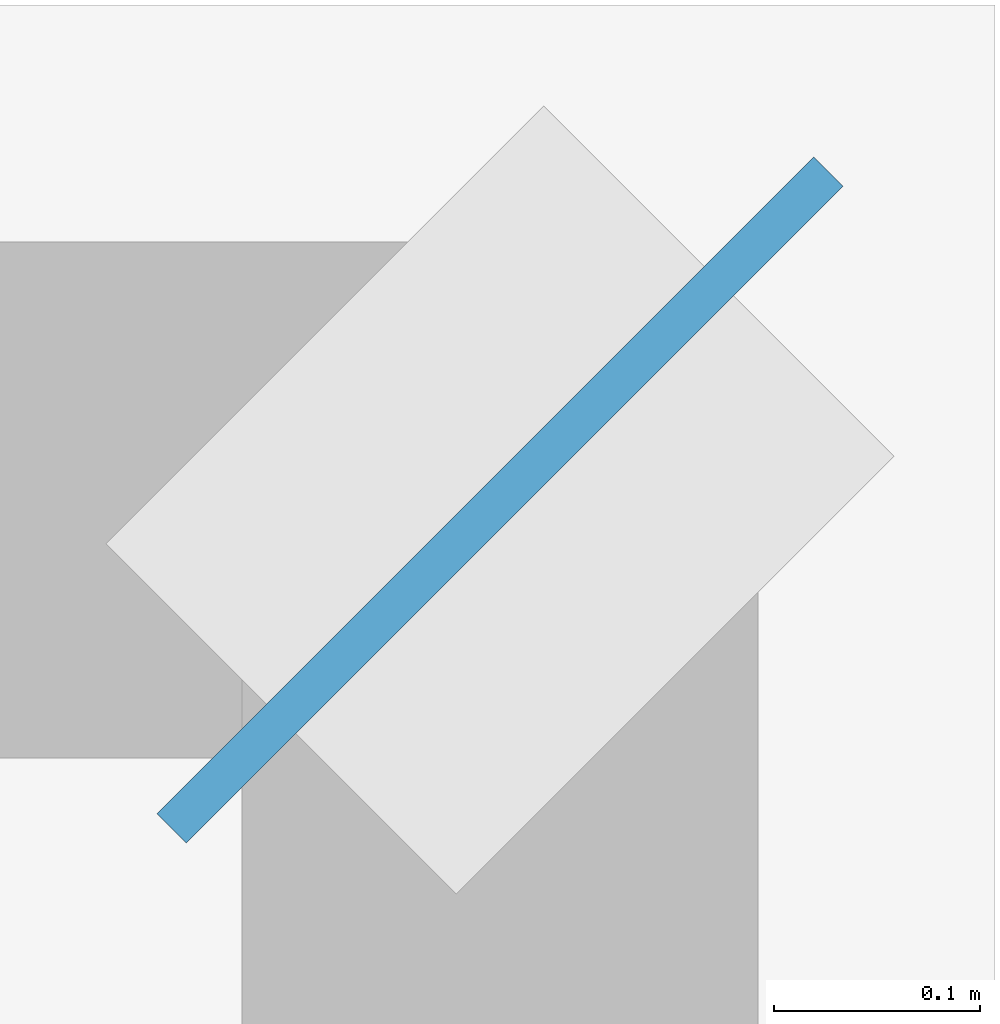
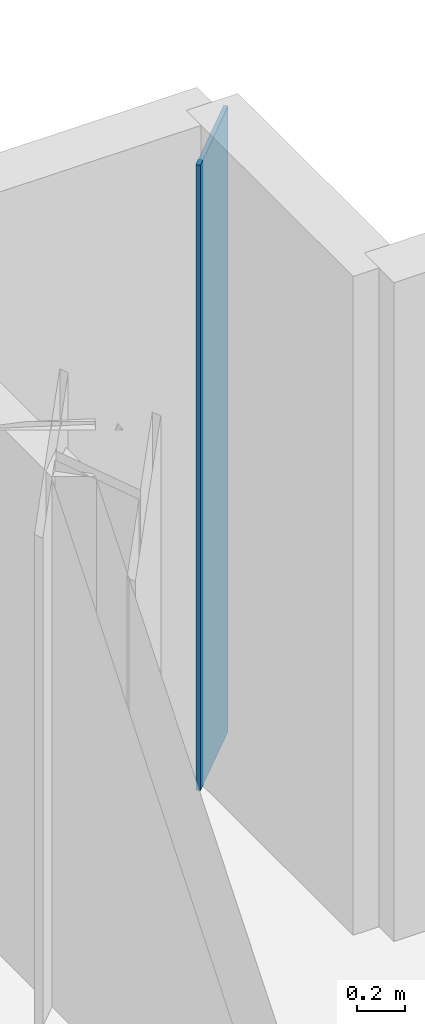
# One storey, part 35 of 43: 1 plate.
"""IFC4 building model written with IfcOpenShell, lengths in metres."""

from ifc_helpers import new_model, si_unit, direction, frame, origin, origin_2d, place, context, subcontext, project, spatial, rectangle, extrude, source, transform, mapped, material, layer, layer_set, type_object, element, save


model = new_model("IFC4")

# Units and contexts
model_context = context("Model", 3, precision=1e-05, world=origin(), true_north=direction((0.0, 1.0)))
body_context = subcontext(model_context, "Body", "Model", "MODEL_VIEW")
ifc_project = project(units=[si_unit("LENGTHUNIT", "METRE"), si_unit("AREAUNIT", "SQUARE_METRE"), si_unit("VOLUMEUNIT", "CUBIC_METRE"), si_unit("PLANEANGLEUNIT", "RADIAN"), si_unit("MASSUNIT", "GRAM", prefix="KILO")], contexts=[model_context])

# Site, building, storey
site_placement = place(None, origin())
site = spatial("IfcSite", under=ifc_project, at=site_placement, CompositionType="ELEMENT")
building_placement = place(site_placement, origin())
building = spatial("IfcBuilding", under=site, at=building_placement, Name="Nahalor Promenade Grand Hotel", CompositionType="ELEMENT")
storey_placement = place(building_placement, frame((0.0, 0.0, 47.0)))
storey = spatial("IfcBuildingStorey", under=building, at=storey_placement, Name="L10", CompositionType="ELEMENT", Elevation=47.0)

# Plate
ifc_material = material(Name="Anodised Bronze Aluminium EN AW-6063 T6", Category="aluminium")
ifc_layer = layer(ifc_material, 0.02001953125)
ifc_layer_set = layer_set([ifc_layer], Name="Anodised Bronze Aluminium EN AW-6063 T6")
plate_type = type_object("IfcPlateType", Name="Plate-CornerFin-20", PredefinedType="SHEET", material=ifc_layer_set)
shared_shape = source(origin(), body_context, "Body", "SweptSolid", [
    extrude(rectangle(XDim=0.449951171875, YDim=0.02001953125, at=origin_2d()), origin(), (0.0, 0.0, 1.0), 3.199951171875),
])
plate_placement = place(storey_placement, frame((23.760009765625, 23.760009765625, 0.0), z_axis=(0.0, 0.0, 1.0), x_axis=(0.707106781187, 0.707106781187, 0.0)))
element("IfcPlate", 1, at=plate_placement, inside=storey, type_object=plate_type, Name="FIN-L10-NE", PredefinedType="SHEET", context=body_context, shape_type="MappedRepresentation", body=[
    mapped(shared_shape, transform((0.0, 0.0, 0.0), scale=1.0)),
])

save(model, "model.ifc")
